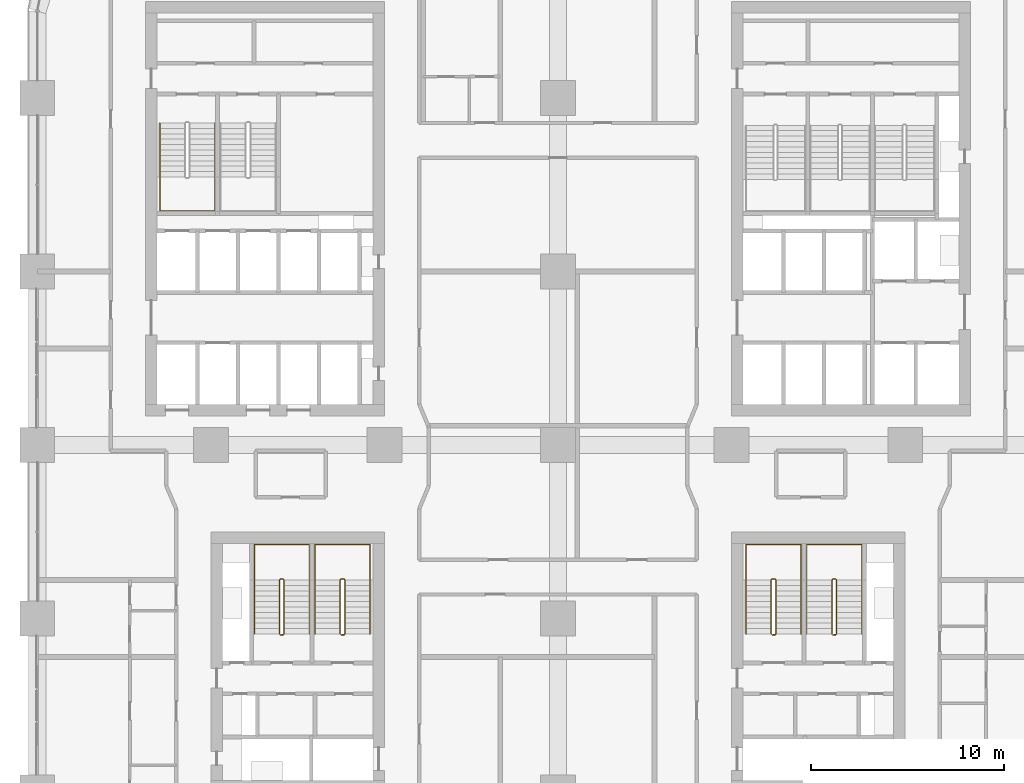
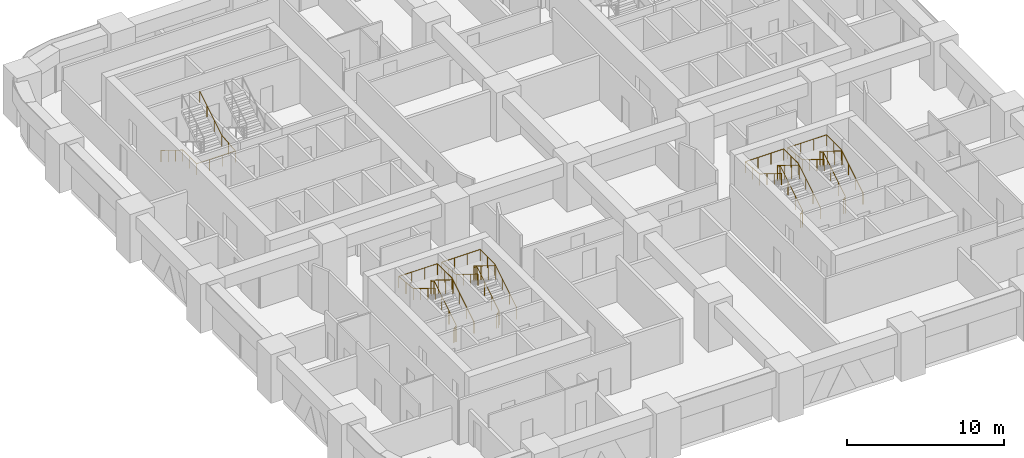
# One storey, part 21 of 23: 9 railings.
"""IFC4 building model written with IfcOpenShell, lengths in metres."""

import ifcopenshell
import ifcopenshell.guid

model = None  # the IFC model being written
_history = None  # IfcOwnerHistory: only IFC2X3 demands one
_inside = {}  # id of a spatial element -> (the spatial element, [elements in it])
_under = {}  # id of a project, library or spatial element -> (it, [spatial elements below it])
_declared = {}  # id of a project -> (the project, [libraries it declares])
_typed = {}  # id of a type object -> (the type object, [elements of that type])
_made_of = {}  # id of a material, layer set ... -> (it, [elements and type objects made of it])


def new_model(schema):
    """Start an empty IFC model of exactly this schema.

    Asked for "IFC4X3", IfcOpenShell would pick the latest addendum, in which some entities
    have other attributes; the version numbers below select the first issue.
    IFC2X3 requires an IfcOwnerHistory on every rooted entity: one is made here for all.
    """
    global model, _history
    if schema == "IFC4X3":
        model = ifcopenshell.file(schema_version=(4, 3, 0, 0))
    else:
        model = ifcopenshell.file(schema=schema)
    _inside.clear()
    _under.clear()
    _declared.clear()
    _typed.clear()
    _made_of.clear()
    _history = None
    if model.schema == "IFC2X3":
        org = make("IfcOrganization", Name="unknown")
        user = make(
            "IfcPersonAndOrganization",
            ThePerson=make("IfcPerson", FamilyName="unknown"),
            TheOrganization=org,
        )
        app = make(
            "IfcApplication",
            ApplicationDeveloper=org,
            Version="unknown",
            ApplicationFullName="unknown",
            ApplicationIdentifier="unknown",
        )
        _history = make(
            "IfcOwnerHistory",
            OwningUser=user,
            OwningApplication=app,
            ChangeAction="ADDED",
            CreationDate=0,
        )
    return model


def make(cls, **values):
    """One entity of the class cls with the attributes given. An attribute that is None is left unset."""
    return model.create_entity(
        cls, **{name: value for name, value in values.items() if value is not None}
    )


def rooted(cls, **values):
    """An entity with a GlobalId (a new one), such as an element, a storey or a relation."""
    return make(cls, GlobalId=ifcopenshell.guid.new(), OwnerHistory=_history, **values)


def si_unit(unit_type, name, prefix=None):
    """IfcSIUnit, for example si_unit("LENGTHUNIT", "METRE", prefix="MILLI")."""
    return make("IfcSIUnit", UnitType=unit_type, Prefix=prefix, Name=name)


def assignment(units):
    """IfcUnitAssignment: the units of a project."""
    return None if units is None else make("IfcUnitAssignment", Units=units)


def point(xyz):
    """IfcCartesianPoint."""
    return None if xyz is None else make("IfcCartesianPoint", Coordinates=xyz)


def direction(xyz):
    """IfcDirection."""
    return None if xyz is None else make("IfcDirection", DirectionRatios=xyz)


def frame(location, z_axis=None, x_axis=None):
    """IfcAxis2Placement3D, a coordinate frame: its origin and axes. An axis left out is left unset."""
    return make(
        "IfcAxis2Placement3D",
        Location=point(location),
        Axis=direction(z_axis),
        RefDirection=direction(x_axis),
    )


def frame_2d(location, x_axis=None):
    """IfcAxis2Placement2D, a coordinate frame in the plane: its origin and x axis."""
    return make(
        "IfcAxis2Placement2D", Location=point(location), RefDirection=direction(x_axis)
    )


def origin():
    """The frame at (0, 0, 0) with its axes left unset."""
    return frame((0.0, 0.0, 0.0))


def origin_2d():
    """The frame at (0, 0) in the plane with its x axis left unset."""
    return frame_2d((0.0, 0.0))


def place(relative_to, where):
    """IfcLocalPlacement: puts the frame where relative to a parent placement (None: the world)."""
    return make(
        "IfcLocalPlacement", PlacementRelTo=relative_to, RelativePlacement=where
    )


def context(
    kind, dimensions, precision=None, world=None, true_north=None, identifier=None
):
    """IfcGeometricRepresentationContext, for example the 3D "Model" context."""
    return make(
        "IfcGeometricRepresentationContext",
        ContextIdentifier=identifier,
        ContextType=kind,
        CoordinateSpaceDimension=dimensions,
        Precision=precision,
        WorldCoordinateSystem=world,
        TrueNorth=true_north,
    )


def subcontext(parent, identifier, kind, view, scale=None):
    """IfcGeometricRepresentationSubContext, for example "Body" below "Model"."""
    return make(
        "IfcGeometricRepresentationSubContext",
        ContextIdentifier=identifier,
        ContextType=kind,
        ParentContext=parent,
        TargetScale=scale,
        TargetView=view,
    )


def project(units=None, contexts=None):
    """IfcProject with its units and contexts."""
    return rooted(
        "IfcProject",
        Name="project",
        RepresentationContexts=contexts,
        UnitsInContext=assignment(units),
    )


def spatial(cls, under=None, at=None, **own):
    """A site, building, storey or space (cls), placed at a placement, below another one or the project."""
    s = rooted(cls, ObjectPlacement=at, **own)
    if under is not None:
        _under.setdefault(under.id(), (under, []))[1].append(s)
    return s


def profile(cls, at=None, kind="AREA", **sizes):
    """A parametric profile (cls). Its sizes go by their IFC names, for example OverallWidth=200.0."""
    return make(cls, ProfileType=kind, Position=at, **sizes)


def circle(**sizes):
    """IfcCircleProfileDef."""
    return profile("IfcCircleProfileDef", **sizes)


def extrude(swept, where, along, depth):
    """IfcExtrudedAreaSolid: the profile swept, set in the frame where, extruded along a direction by depth."""
    return make(
        "IfcExtrudedAreaSolid",
        SweptArea=swept,
        Position=where,
        ExtrudedDirection=direction(along),
        Depth=depth,
    )


def shape(context_of_items, identifier, shape_type, items):
    """IfcShapeRepresentation: the items that make up one representation, for example the "Body"."""
    return make(
        "IfcShapeRepresentation",
        ContextOfItems=context_of_items,
        RepresentationIdentifier=identifier,
        RepresentationType=shape_type,
        Items=items,
    )


def material(Name=None, Category=None):
    """IfcMaterial."""
    return make("IfcMaterial", Name=Name, Category=Category)


def made_of(thing, what):
    """Note that an element or type object is made of a material, layer set ...; save() writes the relation."""
    if what is not None:
        _made_of.setdefault(what.id(), (what, []))[1].append(thing)
    return thing


def type_object(cls, material=None, **own):
    """A type object (cls), such as IfcWallType, which elements share."""
    return made_of(rooted(cls, **own), material)


def element(
    cls,
    number,
    at=None,
    inside=None,
    cuts=None,
    type_object=None,
    material=None,
    context=None,
    identifier="Body",
    shape_type=None,
    held_by="IfcProductDefinitionShape",
    body=None,
    shapes=None,
    **own,
):
    """One element of the class cls, such as IfcWall. Its Tag is "e" and its number.

    at: its placement. inside: the storey or other place that contains it. cuts: it is an
    opening in that element (IfcRelVoidsElement). A single representation is given by context,
    identifier, shape_type and body (its items); several are given by shapes. held_by: the class
    of the entity that holds the representations. save() writes the other relations.
    """
    e = rooted(cls, Tag="e%d" % number, ObjectPlacement=at, **own)
    if body is not None:
        shapes = [shape(context, identifier, shape_type, body)]
    if shapes is not None:
        e.Representation = make(held_by, Representations=shapes)
    if inside is not None:
        _inside.setdefault(inside.id(), (inside, []))[1].append(e)
    if cuts is not None:
        rooted(
            "IfcRelVoidsElement", RelatingBuildingElement=cuts, RelatedOpeningElement=e
        )
    if type_object is not None:
        _typed.setdefault(type_object.id(), (type_object, []))[1].append(e)
    return made_of(e, material)


def aggregate(whole, parts):
    """IfcRelAggregates: a whole, such as a stair, and the parts it consists of."""
    return rooted("IfcRelAggregates", RelatingObject=whole, RelatedObjects=parts)


def save(model, path):
    """Write the relations noted so far, then the file.

    IfcRelAggregates (storeys below a building ...), IfcRelContainedInSpatialStructure (elements
    in a storey), IfcRelDefinesByType, IfcRelAssociatesMaterial and IfcRelDeclares: one each for
    every whole, place, type object, material and project.
    """
    for whole, parts in _under.values():
        aggregate(whole, parts)
    for where, things in _inside.values():
        rooted(
            "IfcRelContainedInSpatialStructure",
            RelatedElements=things,
            RelatingStructure=where,
        )
    for kind, things in _typed.values():
        rooted("IfcRelDefinesByType", RelatedObjects=things, RelatingType=kind)
    for what, things in _made_of.values():
        rooted("IfcRelAssociatesMaterial", RelatedObjects=things, RelatingMaterial=what)
    for by, libraries in _declared.values():
        rooted("IfcRelDeclares", RelatingContext=by, RelatedDefinitions=libraries)
    model.write(path)


model = new_model("IFC4")

# Units and contexts
model_context = context("Model", 3, precision=1e-05, world=origin(), true_north=direction((0.0, 1.0)))
body_context = subcontext(model_context, "Body", "Model", "MODEL_VIEW")
ifc_project = project(units=[si_unit("LENGTHUNIT", "METRE"), si_unit("AREAUNIT", "SQUARE_METRE"), si_unit("VOLUMEUNIT", "CUBIC_METRE"), si_unit("PLANEANGLEUNIT", "RADIAN"), si_unit("MASSUNIT", "GRAM", prefix="KILO")], contexts=[model_context])

# Site, building, storey
site_placement = place(None, origin())
site = spatial("IfcSite", under=ifc_project, at=site_placement, CompositionType="ELEMENT")
building_placement = place(site_placement, origin())
building = spatial("IfcBuilding", under=site, at=building_placement, Name="Tessera Arch", CompositionType="ELEMENT")
storey_placement = place(building_placement, frame((0.0, 0.0, 34.800048828125)))
storey = spatial("IfcBuildingStorey", under=building, at=storey_placement, Name="L06", CompositionType="ELEMENT", Elevation=34.800048828125)

# Railings
ifc_material_1 = material(Name="Painted steel balustrade", Category="steel")
railing_type_1 = type_object("IfcRailingType", Name="Stair guard 1100", PredefinedType="GUARDRAIL", material=ifc_material_1)
railing_1_placement = place(storey_placement, frame((38.25, 17.14990234375, 0.0)))
element("IfcRailing", 1, at=railing_1_placement, inside=storey, type_object=railing_type_1, Name="L06 S3a stair guard 1", PredefinedType="GUARDRAIL", context=body_context, shape_type="SweptSolid", body=[
    extrude(circle(Radius=0.02392578125, at=origin_2d()), frame((0.00390625, 0.0, 1.076171875), z_axis=(-1.0, 0.0, 0.0), x_axis=(0.0, -1.0, 0.0)), (0.0, 0.0, 1.0), 0.157958984375),
    extrude(circle(Radius=0.02392578125, at=origin_2d()), frame((-0.15283203125, -0.000732421875, 1.073486328125), z_axis=(0.743736083135, 0.18616104645, 0.642028584587), x_axis=(-0.242814311512, 0.970072785993, 0.0)), (0.0, 0.0, 1.0), 0.27685546875),
    extrude(circle(Radius=0.02392578125, at=origin_2d()), frame((0.050048828125, 0.046630859375, 1.24658203125), z_axis=(0.0, 0.851089632645, 0.525020415988), x_axis=(-1.0, 0.0, 0.0)), (0.0, 0.0, 1.0), 3.2978515625),
    extrude(circle(Radius=0.02392578125, at=origin_2d()), frame((0.052978515625, 2.84716796875, 2.97607421875), z_axis=(-0.707106781187, 0.707106781187, 0.0), x_axis=(-0.707106781187, -0.707106781187, 0.0)), (0.0, 0.0, 1.0), 0.078857421875),
    extrude(circle(Radius=0.02392578125, at=origin_2d()), frame((0.00390625, 2.900146484375, 2.97607421875), z_axis=(-1.0, 0.0, 0.0), x_axis=(0.0, -1.0, 0.0)), (0.0, 0.0, 1.0), 0.157958984375),
    extrude(circle(Radius=0.02392578125, at=origin_2d()), frame((-0.14892578125, 2.901123046875, 2.97216796875), z_axis=(-0.267953482034, -0.267953482034, 0.925419830635), x_axis=(0.707106781187, -0.707106781187, 0.0)), (0.0, 0.0, 1.0), 0.19482421875),
    extrude(circle(Radius=0.02392578125, at=origin_2d()), frame((-0.199951171875, 2.853515625, 3.146728515625), z_axis=(0.0, -0.851089632645, 0.525020415988), x_axis=(1.0, 0.0, 0.0)), (0.0, 0.0, 1.0), 3.2978515625),
    extrude(circle(Radius=0.02099609375, at=origin_2d()), origin(), (0.0, 0.0, 1.0), 1.06396484375),
    extrude(circle(Radius=0.02099609375, at=origin_2d()), frame((-0.14990234375, 0.0, 0.0)), (0.0, 0.0, 1.0), 1.06396484375),
    extrude(circle(Radius=0.02099609375, at=origin_2d()), frame((0.050048828125, 0.050048828125, 0.172607421875)), (0.0, 0.0, 1.0), 1.06396484375),
    extrude(circle(Radius=0.02099609375, at=origin_2d()), frame((0.050048828125, 0.9833984375, 0.748291015625)), (0.0, 0.0, 1.0), 1.06396484375),
    extrude(circle(Radius=0.02099609375, at=origin_2d()), frame((0.050048828125, 1.916748046875, 1.32421875)), (0.0, 0.0, 1.0), 1.06396484375),
    extrude(circle(Radius=0.02099609375, at=origin_2d()), frame((0.050048828125, 2.85009765625, 1.89990234375)), (0.0, 0.0, 1.0), 1.06396484375),
    extrude(circle(Radius=0.02099609375, at=origin_2d()), frame((0.0, 2.900146484375, 1.89990234375)), (0.0, 0.0, 1.0), 1.06396484375),
    extrude(circle(Radius=0.02099609375, at=origin_2d()), frame((-0.14990234375, 2.900146484375, 1.89990234375)), (0.0, 0.0, 1.0), 1.06396484375),
    extrude(circle(Radius=0.02099609375, at=origin_2d()), frame((-0.199951171875, 2.85009765625, 2.07275390625)), (0.0, 0.0, 1.0), 1.06396484375),
    extrude(circle(Radius=0.02099609375, at=origin_2d()), frame((-0.199951171875, 1.916748046875, 2.6484375)), (0.0, 0.0, 1.0), 1.06396484375),
    extrude(circle(Radius=0.02099609375, at=origin_2d()), frame((-0.199951171875, 0.9833984375, 3.224365234375)), (0.0, 0.0, 1.0), 1.06396484375),
    extrude(circle(Radius=0.02099609375, at=origin_2d()), frame((-0.199951171875, 0.050048828125, 3.800048828125)), (0.0, 0.0, 1.0), 1.06396484375),
])
railing_2_placement = place(storey_placement, frame((41.39990234375, 17.14990234375, 0.0)))
element("IfcRailing", 2, at=railing_2_placement, inside=storey, type_object=railing_type_1, Name="L06 S3b stair guard 1", PredefinedType="GUARDRAIL", context=body_context, shape_type="SweptSolid", body=[
    extrude(circle(Radius=0.02392578125, at=origin_2d()), frame((0.00390625, 0.0, 1.076171875), z_axis=(-1.0, 0.0, 0.0), x_axis=(0.0, -1.0, 0.0)), (0.0, 0.0, 1.0), 0.157958984375),
    extrude(circle(Radius=0.02392578125, at=origin_2d()), frame((-0.15283203125, -0.000732421875, 1.073486328125), z_axis=(0.743736083135, 0.18616104645, 0.642028584587), x_axis=(-0.242814311512, 0.970072785993, 0.0)), (0.0, 0.0, 1.0), 0.27685546875),
    extrude(circle(Radius=0.02392578125, at=origin_2d()), frame((0.050048828125, 0.046630859375, 1.24658203125), z_axis=(0.0, 0.851089632645, 0.525020415988), x_axis=(-1.0, 0.0, 0.0)), (0.0, 0.0, 1.0), 3.2978515625),
    extrude(circle(Radius=0.02392578125, at=origin_2d()), frame((0.052978515625, 2.84716796875, 2.97607421875), z_axis=(-0.707106781187, 0.707106781187, 0.0), x_axis=(-0.707106781187, -0.707106781187, 0.0)), (0.0, 0.0, 1.0), 0.078857421875),
    extrude(circle(Radius=0.02392578125, at=origin_2d()), frame((0.00390625, 2.900146484375, 2.97607421875), z_axis=(-1.0, 0.0, 0.0), x_axis=(0.0, -1.0, 0.0)), (0.0, 0.0, 1.0), 0.157958984375),
    extrude(circle(Radius=0.02392578125, at=origin_2d()), frame((-0.14892578125, 2.901123046875, 2.97216796875), z_axis=(-0.267953482034, -0.267953482034, 0.925419830635), x_axis=(0.707106781187, -0.707106781187, 0.0)), (0.0, 0.0, 1.0), 0.19482421875),
    extrude(circle(Radius=0.02392578125, at=origin_2d()), frame((-0.199951171875, 2.853515625, 3.146728515625), z_axis=(0.0, -0.851089632645, 0.525020415988), x_axis=(1.0, 0.0, 0.0)), (0.0, 0.0, 1.0), 3.2978515625),
    extrude(circle(Radius=0.02099609375, at=origin_2d()), origin(), (0.0, 0.0, 1.0), 1.06396484375),
    extrude(circle(Radius=0.02099609375, at=origin_2d()), frame((-0.14990234375, 0.0, 0.0)), (0.0, 0.0, 1.0), 1.06396484375),
    extrude(circle(Radius=0.02099609375, at=origin_2d()), frame((0.050048828125, 0.050048828125, 0.172607421875)), (0.0, 0.0, 1.0), 1.06396484375),
    extrude(circle(Radius=0.02099609375, at=origin_2d()), frame((0.050048828125, 0.9833984375, 0.748291015625)), (0.0, 0.0, 1.0), 1.06396484375),
    extrude(circle(Radius=0.02099609375, at=origin_2d()), frame((0.050048828125, 1.916748046875, 1.32421875)), (0.0, 0.0, 1.0), 1.06396484375),
    extrude(circle(Radius=0.02099609375, at=origin_2d()), frame((0.050048828125, 2.85009765625, 1.89990234375)), (0.0, 0.0, 1.0), 1.06396484375),
    extrude(circle(Radius=0.02099609375, at=origin_2d()), frame((0.0, 2.900146484375, 1.89990234375)), (0.0, 0.0, 1.0), 1.06396484375),
    extrude(circle(Radius=0.02099609375, at=origin_2d()), frame((-0.14990234375, 2.900146484375, 1.89990234375)), (0.0, 0.0, 1.0), 1.06396484375),
    extrude(circle(Radius=0.02099609375, at=origin_2d()), frame((-0.199951171875, 2.85009765625, 2.07275390625)), (0.0, 0.0, 1.0), 1.06396484375),
    extrude(circle(Radius=0.02099609375, at=origin_2d()), frame((-0.199951171875, 1.916748046875, 2.6484375)), (0.0, 0.0, 1.0), 1.06396484375),
    extrude(circle(Radius=0.02099609375, at=origin_2d()), frame((-0.199951171875, 0.9833984375, 3.224365234375)), (0.0, 0.0, 1.0), 1.06396484375),
    extrude(circle(Radius=0.02099609375, at=origin_2d()), frame((-0.199951171875, 0.050048828125, 3.800048828125)), (0.0, 0.0, 1.0), 1.06396484375),
])
railing_3_placement = place(storey_placement, frame((15.89990234375, 17.14990234375, 0.0)))
element("IfcRailing", 3, at=railing_3_placement, inside=storey, type_object=railing_type_1, Name="L06 S4a stair guard 1", PredefinedType="GUARDRAIL", context=body_context, shape_type="SweptSolid", body=[
    extrude(circle(Radius=0.02392578125, at=origin_2d()), frame((0.00390625, 0.0, 1.076171875), z_axis=(-1.0, 0.0, 0.0), x_axis=(0.0, -1.0, 0.0)), (0.0, 0.0, 1.0), 0.157958984375),
    extrude(circle(Radius=0.02392578125, at=origin_2d()), frame((-0.15283203125, -0.000732421875, 1.073486328125), z_axis=(0.743736083135, 0.18616104645, 0.642028584587), x_axis=(-0.242814311512, 0.970072785993, 0.0)), (0.0, 0.0, 1.0), 0.27685546875),
    extrude(circle(Radius=0.02392578125, at=origin_2d()), frame((0.050048828125, 0.046630859375, 1.24658203125), z_axis=(0.0, 0.851089632645, 0.525020415988), x_axis=(-1.0, 0.0, 0.0)), (0.0, 0.0, 1.0), 3.2978515625),
    extrude(circle(Radius=0.02392578125, at=origin_2d()), frame((0.052978515625, 2.84716796875, 2.97607421875), z_axis=(-0.707106781187, 0.707106781187, 0.0), x_axis=(-0.707106781187, -0.707106781187, 0.0)), (0.0, 0.0, 1.0), 0.078857421875),
    extrude(circle(Radius=0.02392578125, at=origin_2d()), frame((0.00390625, 2.900146484375, 2.97607421875), z_axis=(-1.0, 0.0, 0.0), x_axis=(0.0, -1.0, 0.0)), (0.0, 0.0, 1.0), 0.157958984375),
    extrude(circle(Radius=0.02392578125, at=origin_2d()), frame((-0.14892578125, 2.901123046875, 2.97216796875), z_axis=(-0.267953482034, -0.267953482034, 0.925419830635), x_axis=(0.707106781187, -0.707106781187, 0.0)), (0.0, 0.0, 1.0), 0.19482421875),
    extrude(circle(Radius=0.02392578125, at=origin_2d()), frame((-0.199951171875, 2.853515625, 3.146728515625), z_axis=(0.0, -0.851089632645, 0.525020415988), x_axis=(1.0, 0.0, 0.0)), (0.0, 0.0, 1.0), 3.2978515625),
    extrude(circle(Radius=0.02099609375, at=origin_2d()), origin(), (0.0, 0.0, 1.0), 1.06396484375),
    extrude(circle(Radius=0.02099609375, at=origin_2d()), frame((-0.14990234375, 0.0, 0.0)), (0.0, 0.0, 1.0), 1.06396484375),
    extrude(circle(Radius=0.02099609375, at=origin_2d()), frame((0.050048828125, 0.050048828125, 0.172607421875)), (0.0, 0.0, 1.0), 1.06396484375),
    extrude(circle(Radius=0.02099609375, at=origin_2d()), frame((0.050048828125, 0.9833984375, 0.748291015625)), (0.0, 0.0, 1.0), 1.06396484375),
    extrude(circle(Radius=0.02099609375, at=origin_2d()), frame((0.050048828125, 1.916748046875, 1.32421875)), (0.0, 0.0, 1.0), 1.06396484375),
    extrude(circle(Radius=0.02099609375, at=origin_2d()), frame((0.050048828125, 2.85009765625, 1.89990234375)), (0.0, 0.0, 1.0), 1.06396484375),
    extrude(circle(Radius=0.02099609375, at=origin_2d()), frame((0.0, 2.900146484375, 1.89990234375)), (0.0, 0.0, 1.0), 1.06396484375),
    extrude(circle(Radius=0.02099609375, at=origin_2d()), frame((-0.14990234375, 2.900146484375, 1.89990234375)), (0.0, 0.0, 1.0), 1.06396484375),
    extrude(circle(Radius=0.02099609375, at=origin_2d()), frame((-0.199951171875, 2.85009765625, 2.07275390625)), (0.0, 0.0, 1.0), 1.06396484375),
    extrude(circle(Radius=0.02099609375, at=origin_2d()), frame((-0.199951171875, 1.916748046875, 2.6484375)), (0.0, 0.0, 1.0), 1.06396484375),
    extrude(circle(Radius=0.02099609375, at=origin_2d()), frame((-0.199951171875, 0.9833984375, 3.224365234375)), (0.0, 0.0, 1.0), 1.06396484375),
    extrude(circle(Radius=0.02099609375, at=origin_2d()), frame((-0.199951171875, 0.050048828125, 3.800048828125)), (0.0, 0.0, 1.0), 1.06396484375),
])
railing_4_placement = place(storey_placement, frame((12.75, 17.14990234375, 0.0)))
element("IfcRailing", 4, at=railing_4_placement, inside=storey, type_object=railing_type_1, Name="L06 S4b stair guard 1", PredefinedType="GUARDRAIL", context=body_context, shape_type="SweptSolid", body=[
    extrude(circle(Radius=0.02392578125, at=origin_2d()), frame((0.00390625, 0.0, 1.076171875), z_axis=(-1.0, 0.0, 0.0), x_axis=(0.0, -1.0, 0.0)), (0.0, 0.0, 1.0), 0.157958984375),
    extrude(circle(Radius=0.02392578125, at=origin_2d()), frame((-0.15283203125, -0.000732421875, 1.073486328125), z_axis=(0.743736083135, 0.18616104645, 0.642028584587), x_axis=(-0.242814311512, 0.970072785993, 0.0)), (0.0, 0.0, 1.0), 0.27685546875),
    extrude(circle(Radius=0.02392578125, at=origin_2d()), frame((0.050048828125, 0.046630859375, 1.24658203125), z_axis=(0.0, 0.851089632645, 0.525020415988), x_axis=(-1.0, 0.0, 0.0)), (0.0, 0.0, 1.0), 3.2978515625),
    extrude(circle(Radius=0.02392578125, at=origin_2d()), frame((0.052978515625, 2.84716796875, 2.97607421875), z_axis=(-0.707106781187, 0.707106781187, 0.0), x_axis=(-0.707106781187, -0.707106781187, 0.0)), (0.0, 0.0, 1.0), 0.078857421875),
    extrude(circle(Radius=0.02392578125, at=origin_2d()), frame((0.00390625, 2.900146484375, 2.97607421875), z_axis=(-1.0, 0.0, 0.0), x_axis=(0.0, -1.0, 0.0)), (0.0, 0.0, 1.0), 0.157958984375),
    extrude(circle(Radius=0.02392578125, at=origin_2d()), frame((-0.14892578125, 2.901123046875, 2.97216796875), z_axis=(-0.267953482034, -0.267953482034, 0.925419830635), x_axis=(0.707106781187, -0.707106781187, 0.0)), (0.0, 0.0, 1.0), 0.19482421875),
    extrude(circle(Radius=0.02392578125, at=origin_2d()), frame((-0.199951171875, 2.853515625, 3.146728515625), z_axis=(0.0, -0.851089632645, 0.525020415988), x_axis=(1.0, 0.0, 0.0)), (0.0, 0.0, 1.0), 3.2978515625),
    extrude(circle(Radius=0.02099609375, at=origin_2d()), origin(), (0.0, 0.0, 1.0), 1.06396484375),
    extrude(circle(Radius=0.02099609375, at=origin_2d()), frame((-0.14990234375, 0.0, 0.0)), (0.0, 0.0, 1.0), 1.06396484375),
    extrude(circle(Radius=0.02099609375, at=origin_2d()), frame((0.050048828125, 0.050048828125, 0.172607421875)), (0.0, 0.0, 1.0), 1.06396484375),
    extrude(circle(Radius=0.02099609375, at=origin_2d()), frame((0.050048828125, 0.9833984375, 0.748291015625)), (0.0, 0.0, 1.0), 1.06396484375),
    extrude(circle(Radius=0.02099609375, at=origin_2d()), frame((0.050048828125, 1.916748046875, 1.32421875)), (0.0, 0.0, 1.0), 1.06396484375),
    extrude(circle(Radius=0.02099609375, at=origin_2d()), frame((0.050048828125, 2.85009765625, 1.89990234375)), (0.0, 0.0, 1.0), 1.06396484375),
    extrude(circle(Radius=0.02099609375, at=origin_2d()), frame((0.0, 2.900146484375, 1.89990234375)), (0.0, 0.0, 1.0), 1.06396484375),
    extrude(circle(Radius=0.02099609375, at=origin_2d()), frame((-0.14990234375, 2.900146484375, 1.89990234375)), (0.0, 0.0, 1.0), 1.06396484375),
    extrude(circle(Radius=0.02099609375, at=origin_2d()), frame((-0.199951171875, 2.85009765625, 2.07275390625)), (0.0, 0.0, 1.0), 1.06396484375),
    extrude(circle(Radius=0.02099609375, at=origin_2d()), frame((-0.199951171875, 1.916748046875, 2.6484375)), (0.0, 0.0, 1.0), 1.06396484375),
    extrude(circle(Radius=0.02099609375, at=origin_2d()), frame((-0.199951171875, 0.9833984375, 3.224365234375)), (0.0, 0.0, 1.0), 1.06396484375),
    extrude(circle(Radius=0.02099609375, at=origin_2d()), frame((-0.199951171875, 0.050048828125, 3.800048828125)), (0.0, 0.0, 1.0), 1.06396484375),
])
ifc_material_2 = material(Name="Painted steel handrail", Category="steel")
railing_type_2 = type_object("IfcRailingType", Name="Stair handrail 900", PredefinedType="HANDRAIL", material=ifc_material_2)
railing_5_placement = place(storey_placement, frame((6.35009765625, 43.699951171875, 0.172607421875)))
element("IfcRailing", 5, at=railing_5_placement, inside=storey, type_object=railing_type_2, Name="L06 S2a stair handrail", PredefinedType="HANDRAIL", context=body_context, shape_type="SweptSolid", body=[
    extrude(circle(Radius=0.02392578125, at=origin_2d()), frame((0.0, 0.00341796875, 0.873779296875), z_axis=(0.0, -0.851089632645, 0.525020415988), x_axis=(1.0, 0.0, 0.0)), (0.0, 0.0, 1.0), 3.2978515625),
    extrude(circle(Radius=0.02392578125, at=origin_2d()), frame((0.0, -2.796142578125, 2.60302734375), z_axis=(0.0, -1.0, 0.0), x_axis=(1.0, 0.0, 0.0)), (0.0, 0.0, 1.0), 1.758056640625),
    extrude(circle(Radius=0.02392578125, at=origin_2d()), frame((-0.00390625, -4.550048828125, 2.60302734375), z_axis=(1.0, 0.0, 0.0), x_axis=(0.0, 1.0, 0.0)), (0.0, 0.0, 1.0), 2.85791015625),
    extrude(circle(Radius=0.02392578125, at=origin_2d()), frame((2.849853515625, -4.553955078125, 2.602783203125), z_axis=(0.0, 0.995157418657, 0.098294008428), x_axis=(-1.0, 0.0, 0.0)), (0.0, 0.0, 1.0), 1.7666015625),
    extrude(circle(Radius=0.02392578125, at=origin_2d()), frame((2.849853515625, -2.803466796875, 2.77392578125), z_axis=(0.0, 0.851089632645, 0.525020415988), x_axis=(-1.0, 0.0, 0.0)), (0.0, 0.0, 1.0), 3.2978515625),
    extrude(circle(Radius=0.02099609375, at=origin_2d()), origin(), (0.0, 0.0, 1.0), 0.86376953125),
    extrude(circle(Radius=0.02099609375, at=origin_2d()), frame((0.0, -0.933349609375, 0.57568359375)), (0.0, 0.0, 1.0), 0.86376953125),
    extrude(circle(Radius=0.02099609375, at=origin_2d()), frame((0.0, -1.86669921875, 1.151611328125)), (0.0, 0.0, 1.0), 0.86376953125),
    extrude(circle(Radius=0.02099609375, at=origin_2d()), frame((0.0, -2.800048828125, 1.727294921875)), (0.0, 0.0, 1.0), 0.86376953125),
    extrude(circle(Radius=0.02099609375, at=origin_2d()), frame((0.0, -3.675048828125, 1.727294921875)), (0.0, 0.0, 1.0), 0.86376953125),
    extrude(circle(Radius=0.02099609375, at=origin_2d()), frame((0.0, -4.550048828125, 1.727294921875)), (0.0, 0.0, 1.0), 0.86376953125),
    extrude(circle(Radius=0.02099609375, at=origin_2d()), frame((0.949951171875, -4.550048828125, 1.727294921875)), (0.0, 0.0, 1.0), 0.86376953125),
    extrude(circle(Radius=0.02099609375, at=origin_2d()), frame((1.89990234375, -4.550048828125, 1.727294921875)), (0.0, 0.0, 1.0), 0.86376953125),
    extrude(circle(Radius=0.02099609375, at=origin_2d()), frame((2.849853515625, -4.550048828125, 1.727294921875)), (0.0, 0.0, 1.0), 0.86376953125),
    extrude(circle(Radius=0.02099609375, at=origin_2d()), frame((2.849853515625, -3.675048828125, 1.813720703125)), (0.0, 0.0, 1.0), 0.86376953125),
    extrude(circle(Radius=0.02099609375, at=origin_2d()), frame((2.849853515625, -2.800048828125, 1.900146484375)), (0.0, 0.0, 1.0), 0.86376953125),
    extrude(circle(Radius=0.02099609375, at=origin_2d()), frame((2.849853515625, -1.86669921875, 2.475830078125)), (0.0, 0.0, 1.0), 0.86376953125),
    extrude(circle(Radius=0.02099609375, at=origin_2d()), frame((2.849853515625, -0.933349609375, 3.0517578125)), (0.0, 0.0, 1.0), 0.86376953125),
    extrude(circle(Radius=0.02099609375, at=origin_2d()), frame((2.849853515625, 0.0, 3.62744140625)), (0.0, 0.0, 1.0), 0.86376953125),
])
railing_6_placement = place(storey_placement, frame((39.60009765625, 17.199951171875, 0.172607421875)))
element("IfcRailing", 6, at=railing_6_placement, inside=storey, type_object=railing_type_2, Name="L06 S3a stair handrail", PredefinedType="HANDRAIL", context=body_context, shape_type="SweptSolid", body=[
    extrude(circle(Radius=0.02392578125, at=origin_2d()), frame((0.0, -0.00341796875, 0.873779296875), z_axis=(0.0, 0.851089632645, 0.525020415988), x_axis=(-1.0, 0.0, 0.0)), (0.0, 0.0, 1.0), 3.2978515625),
    extrude(circle(Radius=0.02392578125, at=origin_2d()), frame((0.0, 2.796142578125, 2.60302734375), z_axis=(0.0, 1.0, 0.0), x_axis=(-1.0, 0.0, 0.0)), (0.0, 0.0, 1.0), 1.858154296875),
    extrude(circle(Radius=0.02392578125, at=origin_2d()), frame((0.00390625, 4.650146484375, 2.60302734375), z_axis=(-1.0, 0.0, 0.0), x_axis=(0.0, -1.0, 0.0)), (0.0, 0.0, 1.0), 2.858154296875),
    extrude(circle(Radius=0.02392578125, at=origin_2d()), frame((-2.85009765625, 4.654052734375, 2.602783203125), z_axis=(0.0, -0.99566393824, 0.093023234135), x_axis=(1.0, 0.0, 0.0)), (0.0, 0.0, 1.0), 1.8662109375),
    extrude(circle(Radius=0.02392578125, at=origin_2d()), frame((-2.85009765625, 2.803466796875, 2.77392578125), z_axis=(0.0, -0.851089632645, 0.525020415988), x_axis=(1.0, 0.0, 0.0)), (0.0, 0.0, 1.0), 3.2978515625),
    extrude(circle(Radius=0.02099609375, at=origin_2d()), origin(), (0.0, 0.0, 1.0), 0.86376953125),
    extrude(circle(Radius=0.02099609375, at=origin_2d()), frame((0.0, 0.933349609375, 0.57568359375)), (0.0, 0.0, 1.0), 0.86376953125),
    extrude(circle(Radius=0.02099609375, at=origin_2d()), frame((0.0, 1.86669921875, 1.151611328125)), (0.0, 0.0, 1.0), 0.86376953125),
    extrude(circle(Radius=0.02099609375, at=origin_2d()), frame((0.0, 2.800048828125, 1.727294921875)), (0.0, 0.0, 1.0), 0.86376953125),
    extrude(circle(Radius=0.02099609375, at=origin_2d()), frame((0.0, 3.72509765625, 1.727294921875)), (0.0, 0.0, 1.0), 0.86376953125),
    extrude(circle(Radius=0.02099609375, at=origin_2d()), frame((0.0, 4.650146484375, 1.727294921875)), (0.0, 0.0, 1.0), 0.86376953125),
    extrude(circle(Radius=0.02099609375, at=origin_2d()), frame((-0.949951171875, 4.650146484375, 1.727294921875)), (0.0, 0.0, 1.0), 0.86376953125),
    extrude(circle(Radius=0.02099609375, at=origin_2d()), frame((-1.900146484375, 4.650146484375, 1.727294921875)), (0.0, 0.0, 1.0), 0.86376953125),
    extrude(circle(Radius=0.02099609375, at=origin_2d()), frame((-2.85009765625, 4.650146484375, 1.727294921875)), (0.0, 0.0, 1.0), 0.86376953125),
    extrude(circle(Radius=0.02099609375, at=origin_2d()), frame((-2.85009765625, 3.72509765625, 1.813720703125)), (0.0, 0.0, 1.0), 0.86376953125),
    extrude(circle(Radius=0.02099609375, at=origin_2d()), frame((-2.85009765625, 2.800048828125, 1.900146484375)), (0.0, 0.0, 1.0), 0.86376953125),
    extrude(circle(Radius=0.02099609375, at=origin_2d()), frame((-2.85009765625, 1.86669921875, 2.475830078125)), (0.0, 0.0, 1.0), 0.86376953125),
    extrude(circle(Radius=0.02099609375, at=origin_2d()), frame((-2.85009765625, 0.933349609375, 3.0517578125)), (0.0, 0.0, 1.0), 0.86376953125),
    extrude(circle(Radius=0.02099609375, at=origin_2d()), frame((-2.85009765625, 0.0, 3.62744140625)), (0.0, 0.0, 1.0), 0.86376953125),
])
railing_7_placement = place(storey_placement, frame((42.75, 17.199951171875, 0.172607421875)))
element("IfcRailing", 7, at=railing_7_placement, inside=storey, type_object=railing_type_2, Name="L06 S3b stair handrail", PredefinedType="HANDRAIL", context=body_context, shape_type="SweptSolid", body=[
    extrude(circle(Radius=0.02392578125, at=origin_2d()), frame((0.0, -0.00341796875, 0.873779296875), z_axis=(0.0, 0.851089632645, 0.525020415988), x_axis=(-1.0, 0.0, 0.0)), (0.0, 0.0, 1.0), 3.2978515625),
    extrude(circle(Radius=0.02392578125, at=origin_2d()), frame((0.0, 2.796142578125, 2.60302734375), z_axis=(0.0, 1.0, 0.0), x_axis=(-1.0, 0.0, 0.0)), (0.0, 0.0, 1.0), 1.858154296875),
    extrude(circle(Radius=0.02392578125, at=origin_2d()), frame((0.00390625, 4.650146484375, 2.60302734375), z_axis=(-1.0, 0.0, 0.0), x_axis=(0.0, -1.0, 0.0)), (0.0, 0.0, 1.0), 2.858154296875),
    extrude(circle(Radius=0.02392578125, at=origin_2d()), frame((-2.85009765625, 4.654052734375, 2.602783203125), z_axis=(0.0, -0.99566393824, 0.093023234135), x_axis=(1.0, 0.0, 0.0)), (0.0, 0.0, 1.0), 1.8662109375),
    extrude(circle(Radius=0.02392578125, at=origin_2d()), frame((-2.85009765625, 2.803466796875, 2.77392578125), z_axis=(0.0, -0.851089632645, 0.525020415988), x_axis=(1.0, 0.0, 0.0)), (0.0, 0.0, 1.0), 3.2978515625),
    extrude(circle(Radius=0.02099609375, at=origin_2d()), origin(), (0.0, 0.0, 1.0), 0.86376953125),
    extrude(circle(Radius=0.02099609375, at=origin_2d()), frame((0.0, 0.933349609375, 0.57568359375)), (0.0, 0.0, 1.0), 0.86376953125),
    extrude(circle(Radius=0.02099609375, at=origin_2d()), frame((0.0, 1.86669921875, 1.151611328125)), (0.0, 0.0, 1.0), 0.86376953125),
    extrude(circle(Radius=0.02099609375, at=origin_2d()), frame((0.0, 2.800048828125, 1.727294921875)), (0.0, 0.0, 1.0), 0.86376953125),
    extrude(circle(Radius=0.02099609375, at=origin_2d()), frame((0.0, 3.72509765625, 1.727294921875)), (0.0, 0.0, 1.0), 0.86376953125),
    extrude(circle(Radius=0.02099609375, at=origin_2d()), frame((0.0, 4.650146484375, 1.727294921875)), (0.0, 0.0, 1.0), 0.86376953125),
    extrude(circle(Radius=0.02099609375, at=origin_2d()), frame((-0.949951171875, 4.650146484375, 1.727294921875)), (0.0, 0.0, 1.0), 0.86376953125),
    extrude(circle(Radius=0.02099609375, at=origin_2d()), frame((-1.900146484375, 4.650146484375, 1.727294921875)), (0.0, 0.0, 1.0), 0.86376953125),
    extrude(circle(Radius=0.02099609375, at=origin_2d()), frame((-2.85009765625, 4.650146484375, 1.727294921875)), (0.0, 0.0, 1.0), 0.86376953125),
    extrude(circle(Radius=0.02099609375, at=origin_2d()), frame((-2.85009765625, 3.72509765625, 1.813720703125)), (0.0, 0.0, 1.0), 0.86376953125),
    extrude(circle(Radius=0.02099609375, at=origin_2d()), frame((-2.85009765625, 2.800048828125, 1.900146484375)), (0.0, 0.0, 1.0), 0.86376953125),
    extrude(circle(Radius=0.02099609375, at=origin_2d()), frame((-2.85009765625, 1.86669921875, 2.475830078125)), (0.0, 0.0, 1.0), 0.86376953125),
    extrude(circle(Radius=0.02099609375, at=origin_2d()), frame((-2.85009765625, 0.933349609375, 3.0517578125)), (0.0, 0.0, 1.0), 0.86376953125),
    extrude(circle(Radius=0.02099609375, at=origin_2d()), frame((-2.85009765625, 0.0, 3.62744140625)), (0.0, 0.0, 1.0), 0.86376953125),
])
railing_8_placement = place(storey_placement, frame((17.25, 17.199951171875, 0.172607421875)))
element("IfcRailing", 8, at=railing_8_placement, inside=storey, type_object=railing_type_2, Name="L06 S4a stair handrail", PredefinedType="HANDRAIL", context=body_context, shape_type="SweptSolid", body=[
    extrude(circle(Radius=0.02392578125, at=origin_2d()), frame((0.0, -0.00341796875, 0.873779296875), z_axis=(0.0, 0.851089632645, 0.525020415988), x_axis=(-1.0, 0.0, 0.0)), (0.0, 0.0, 1.0), 3.2978515625),
    extrude(circle(Radius=0.02392578125, at=origin_2d()), frame((0.0, 2.796142578125, 2.60302734375), z_axis=(0.0, 1.0, 0.0), x_axis=(-1.0, 0.0, 0.0)), (0.0, 0.0, 1.0), 1.858154296875),
    extrude(circle(Radius=0.02392578125, at=origin_2d()), frame((0.00390625, 4.650146484375, 2.60302734375), z_axis=(-1.0, 0.0, 0.0), x_axis=(0.0, -1.0, 0.0)), (0.0, 0.0, 1.0), 2.858154296875),
    extrude(circle(Radius=0.02392578125, at=origin_2d()), frame((-2.85009765625, 4.654052734375, 2.602783203125), z_axis=(0.0, -0.99566393824, 0.093023234135), x_axis=(1.0, 0.0, 0.0)), (0.0, 0.0, 1.0), 1.8662109375),
    extrude(circle(Radius=0.02392578125, at=origin_2d()), frame((-2.85009765625, 2.803466796875, 2.77392578125), z_axis=(0.0, -0.851089632645, 0.525020415988), x_axis=(1.0, 0.0, 0.0)), (0.0, 0.0, 1.0), 3.2978515625),
    extrude(circle(Radius=0.02099609375, at=origin_2d()), origin(), (0.0, 0.0, 1.0), 0.86376953125),
    extrude(circle(Radius=0.02099609375, at=origin_2d()), frame((0.0, 0.933349609375, 0.57568359375)), (0.0, 0.0, 1.0), 0.86376953125),
    extrude(circle(Radius=0.02099609375, at=origin_2d()), frame((0.0, 1.86669921875, 1.151611328125)), (0.0, 0.0, 1.0), 0.86376953125),
    extrude(circle(Radius=0.02099609375, at=origin_2d()), frame((0.0, 2.800048828125, 1.727294921875)), (0.0, 0.0, 1.0), 0.86376953125),
    extrude(circle(Radius=0.02099609375, at=origin_2d()), frame((0.0, 3.72509765625, 1.727294921875)), (0.0, 0.0, 1.0), 0.86376953125),
    extrude(circle(Radius=0.02099609375, at=origin_2d()), frame((0.0, 4.650146484375, 1.727294921875)), (0.0, 0.0, 1.0), 0.86376953125),
    extrude(circle(Radius=0.02099609375, at=origin_2d()), frame((-0.949951171875, 4.650146484375, 1.727294921875)), (0.0, 0.0, 1.0), 0.86376953125),
    extrude(circle(Radius=0.02099609375, at=origin_2d()), frame((-1.900146484375, 4.650146484375, 1.727294921875)), (0.0, 0.0, 1.0), 0.86376953125),
    extrude(circle(Radius=0.02099609375, at=origin_2d()), frame((-2.85009765625, 4.650146484375, 1.727294921875)), (0.0, 0.0, 1.0), 0.86376953125),
    extrude(circle(Radius=0.02099609375, at=origin_2d()), frame((-2.85009765625, 3.72509765625, 1.813720703125)), (0.0, 0.0, 1.0), 0.86376953125),
    extrude(circle(Radius=0.02099609375, at=origin_2d()), frame((-2.85009765625, 2.800048828125, 1.900146484375)), (0.0, 0.0, 1.0), 0.86376953125),
    extrude(circle(Radius=0.02099609375, at=origin_2d()), frame((-2.85009765625, 1.86669921875, 2.475830078125)), (0.0, 0.0, 1.0), 0.86376953125),
    extrude(circle(Radius=0.02099609375, at=origin_2d()), frame((-2.85009765625, 0.933349609375, 3.0517578125)), (0.0, 0.0, 1.0), 0.86376953125),
    extrude(circle(Radius=0.02099609375, at=origin_2d()), frame((-2.85009765625, 0.0, 3.62744140625)), (0.0, 0.0, 1.0), 0.86376953125),
])
railing_9_placement = place(storey_placement, frame((14.10009765625, 17.199951171875, 0.172607421875)))
element("IfcRailing", 9, at=railing_9_placement, inside=storey, type_object=railing_type_2, Name="L06 S4b stair handrail", PredefinedType="HANDRAIL", context=body_context, shape_type="SweptSolid", body=[
    extrude(circle(Radius=0.02392578125, at=origin_2d()), frame((0.0, -0.00341796875, 0.873779296875), z_axis=(0.0, 0.851089632645, 0.525020415988), x_axis=(-1.0, 0.0, 0.0)), (0.0, 0.0, 1.0), 3.2978515625),
    extrude(circle(Radius=0.02392578125, at=origin_2d()), frame((0.0, 2.796142578125, 2.60302734375), z_axis=(0.0, 1.0, 0.0), x_axis=(-1.0, 0.0, 0.0)), (0.0, 0.0, 1.0), 1.858154296875),
    extrude(circle(Radius=0.02392578125, at=origin_2d()), frame((0.00390625, 4.650146484375, 2.60302734375), z_axis=(-1.0, 0.0, 0.0), x_axis=(0.0, -1.0, 0.0)), (0.0, 0.0, 1.0), 2.858154296875),
    extrude(circle(Radius=0.02392578125, at=origin_2d()), frame((-2.85009765625, 4.654052734375, 2.602783203125), z_axis=(0.0, -0.99566393824, 0.093023234135), x_axis=(1.0, 0.0, 0.0)), (0.0, 0.0, 1.0), 1.8662109375),
    extrude(circle(Radius=0.02392578125, at=origin_2d()), frame((-2.85009765625, 2.803466796875, 2.77392578125), z_axis=(0.0, -0.851089632645, 0.525020415988), x_axis=(1.0, 0.0, 0.0)), (0.0, 0.0, 1.0), 3.2978515625),
    extrude(circle(Radius=0.02099609375, at=origin_2d()), origin(), (0.0, 0.0, 1.0), 0.86376953125),
    extrude(circle(Radius=0.02099609375, at=origin_2d()), frame((0.0, 0.933349609375, 0.57568359375)), (0.0, 0.0, 1.0), 0.86376953125),
    extrude(circle(Radius=0.02099609375, at=origin_2d()), frame((0.0, 1.86669921875, 1.151611328125)), (0.0, 0.0, 1.0), 0.86376953125),
    extrude(circle(Radius=0.02099609375, at=origin_2d()), frame((0.0, 2.800048828125, 1.727294921875)), (0.0, 0.0, 1.0), 0.86376953125),
    extrude(circle(Radius=0.02099609375, at=origin_2d()), frame((0.0, 3.72509765625, 1.727294921875)), (0.0, 0.0, 1.0), 0.86376953125),
    extrude(circle(Radius=0.02099609375, at=origin_2d()), frame((0.0, 4.650146484375, 1.727294921875)), (0.0, 0.0, 1.0), 0.86376953125),
    extrude(circle(Radius=0.02099609375, at=origin_2d()), frame((-0.949951171875, 4.650146484375, 1.727294921875)), (0.0, 0.0, 1.0), 0.86376953125),
    extrude(circle(Radius=0.02099609375, at=origin_2d()), frame((-1.900146484375, 4.650146484375, 1.727294921875)), (0.0, 0.0, 1.0), 0.86376953125),
    extrude(circle(Radius=0.02099609375, at=origin_2d()), frame((-2.85009765625, 4.650146484375, 1.727294921875)), (0.0, 0.0, 1.0), 0.86376953125),
    extrude(circle(Radius=0.02099609375, at=origin_2d()), frame((-2.85009765625, 3.72509765625, 1.813720703125)), (0.0, 0.0, 1.0), 0.86376953125),
    extrude(circle(Radius=0.02099609375, at=origin_2d()), frame((-2.85009765625, 2.800048828125, 1.900146484375)), (0.0, 0.0, 1.0), 0.86376953125),
    extrude(circle(Radius=0.02099609375, at=origin_2d()), frame((-2.85009765625, 1.86669921875, 2.475830078125)), (0.0, 0.0, 1.0), 0.86376953125),
    extrude(circle(Radius=0.02099609375, at=origin_2d()), frame((-2.85009765625, 0.933349609375, 3.0517578125)), (0.0, 0.0, 1.0), 0.86376953125),
    extrude(circle(Radius=0.02099609375, at=origin_2d()), frame((-2.85009765625, 0.0, 3.62744140625)), (0.0, 0.0, 1.0), 0.86376953125),
])

save(model, "model.ifc")
